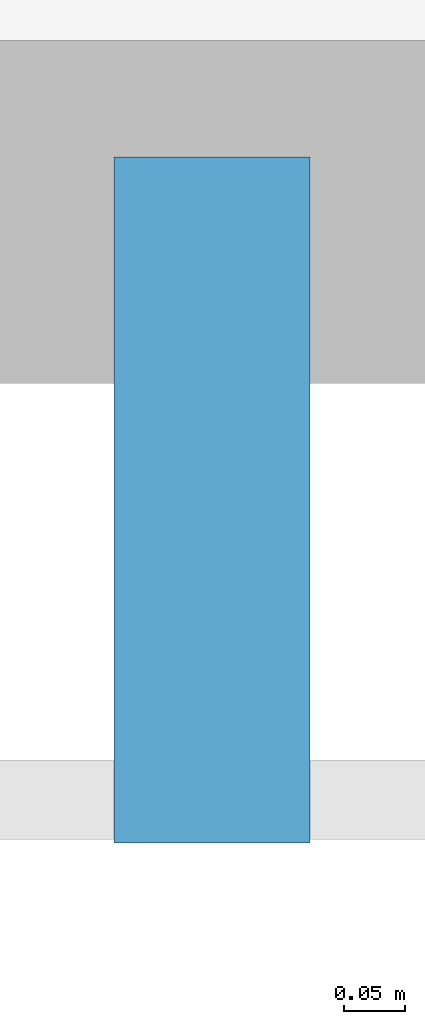
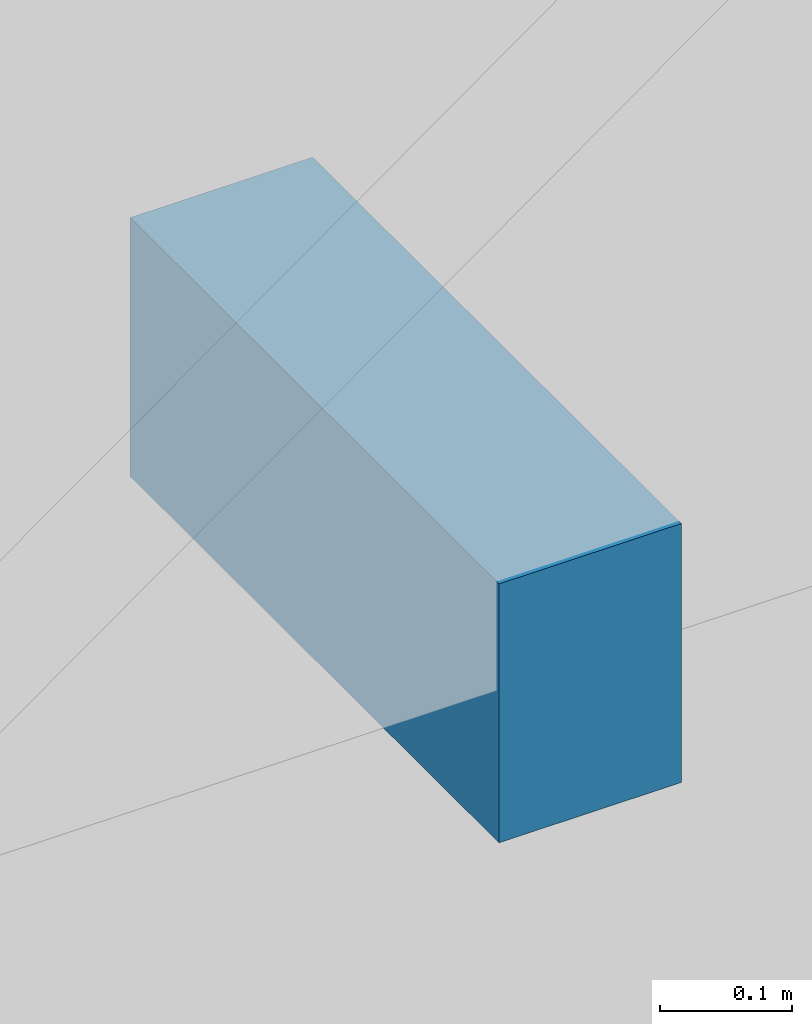
# One storey, part 9 of 11: 1 discrete accessory.
"""IFC4 building model written with IfcOpenShell, lengths in metres."""

from ifc_helpers import new_model, si_unit, direction, frame, origin, origin_2d, place, context, subcontext, project, spatial, rectangle, extrude, material, type_object, element, save


model = new_model("IFC4")

# Units and contexts
model_context = context("Model", 3, precision=1e-05, world=origin(), true_north=direction((0.0, 1.0)))
body_context = subcontext(model_context, "Body", "Model", "MODEL_VIEW")
ifc_project = project(units=[si_unit("LENGTHUNIT", "METRE"), si_unit("AREAUNIT", "SQUARE_METRE"), si_unit("VOLUMEUNIT", "CUBIC_METRE"), si_unit("PLANEANGLEUNIT", "RADIAN"), si_unit("MASSUNIT", "GRAM", prefix="KILO")], contexts=[model_context])

# Site, building, storey
site_placement = place(None, origin())
site = spatial("IfcSite", under=ifc_project, at=site_placement, CompositionType="ELEMENT")
building_placement = place(site_placement, origin())
building = spatial("IfcBuilding", under=site, at=building_placement, Name="Kestravale Grand Hotel", CompositionType="ELEMENT")
storey_placement = place(building_placement, frame((0.0, 0.0, 204.60009765625)))
storey = spatial("IfcBuildingStorey", under=building, at=storey_placement, Name="L51", CompositionType="ELEMENT", Elevation=204.60009765625)

# Discrete accessory
ifc_material = material(Name="Steel ASTM A572 Grade 50 hot-dip galvanised bracket", Category="steel")
discrete_accessory_type = type_object("IfcDiscreteAccessoryType", Name="ACC-BRK-STL", PredefinedType="BRACKET", material=ifc_material)
discrete_accessory_placement = place(storey_placement, frame((53.409912109375, 9.804931640625, 0.56005859375), z_axis=(0.0, 0.0, 1.0), x_axis=(1.0, 0.0, 0.0)))
element("IfcDiscreteAccessory", 1, at=discrete_accessory_placement, inside=storey, type_object=discrete_accessory_type, Name="L51 solar screen standoff bracket 2", PredefinedType="BRACKET", context=body_context, shape_type="SweptSolid", body=[
    extrude(rectangle(XDim=0.159912109375, YDim=0.56005859375, at=origin_2d()), origin(), (0.0, 0.0, 1.0), 0.239990234375),
])

save(model, "model.ifc")
